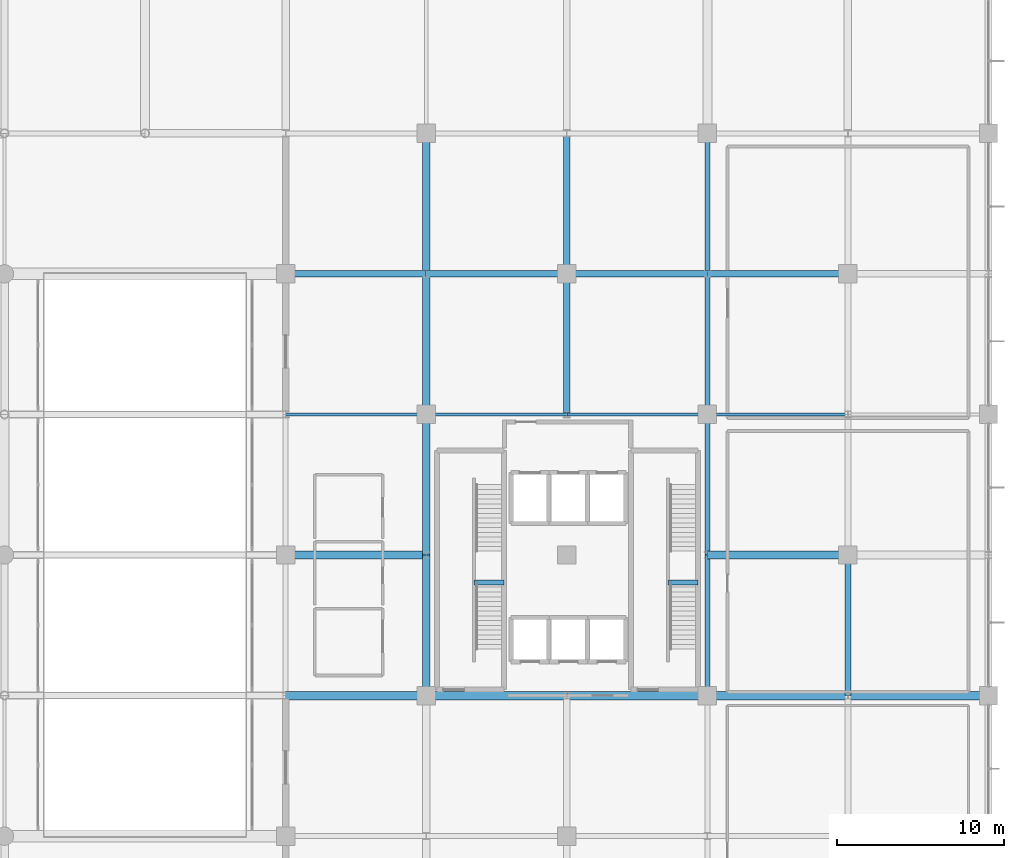
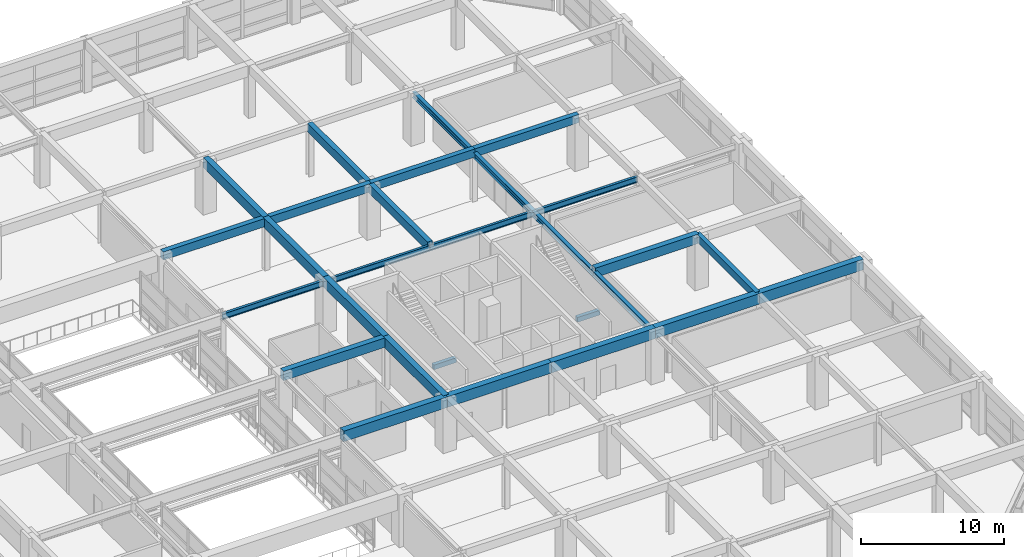
# One storey, part 37 of 62: 28 beams.
"""IFC4 building model written with IfcOpenShell, lengths in metres."""

from ifc_helpers import new_model, si_unit, direction, frame, origin, origin_2d, place, context, subcontext, project, spatial, rectangle, i_section, extrude, material, material_profile, profile_set, type_object, element, save


model = new_model("IFC4")

# Units and contexts
model_context = context("Model", 3, precision=1e-05, world=origin(), true_north=direction((0.0, 1.0)))
body_context = subcontext(model_context, "Body", "Model", "MODEL_VIEW")
ifc_project = project(units=[si_unit("LENGTHUNIT", "METRE"), si_unit("AREAUNIT", "SQUARE_METRE"), si_unit("VOLUMEUNIT", "CUBIC_METRE"), si_unit("PLANEANGLEUNIT", "RADIAN"), si_unit("MASSUNIT", "GRAM", prefix="KILO")], contexts=[model_context])

# Site, building, storey
site_placement = place(None, origin())
site = spatial("IfcSite", under=ifc_project, at=site_placement, CompositionType="ELEMENT")
building_placement = place(site_placement, origin())
building = spatial("IfcBuilding", under=site, at=building_placement, Name="Xuanlan Plaza Opera House", CompositionType="ELEMENT")
storey_placement = place(building_placement, frame((0.0, 0.0, 14.39990234375)))
storey = spatial("IfcBuildingStorey", under=building, at=storey_placement, Name="L03", CompositionType="ELEMENT", Elevation=14.39990234375)

# Beams
ifc_material_1 = material(Name="Concrete C40", Category="concrete")
ifc_material_profile_1 = material_profile(ifc_material_1, rectangle(XDim=0.5, YDim=0.89990234375, at=origin_2d()), Name="RC-BM 500x900")
ifc_profile_set_1 = profile_set([ifc_material_profile_1], Name="Concrete C40")
beam_type_1 = type_object("IfcBeamType", Name="STR-BM-B-03", PredefinedType="BEAM", material=ifc_profile_set_1)
beam_1_placement = place(storey_placement, frame((126.0, 50.39990234375, 4.050048828125), z_axis=(1.0, 0.0, 0.0), x_axis=(0.0, 1.0, 0.0)))
element("IfcBeam", 1, at=beam_1_placement, inside=storey, type_object=beam_type_1, Name="Grid Beam X L03 16-17/G", PredefinedType="BEAM", context=body_context, shape_type="SweptSolid", body=[
    extrude(rectangle(XDim=0.5, YDim=0.89990234375, at=origin_2d()), origin(), (0.0, 0.0, 1.0), 8.39990234375),
])
beam_2_placement = place(storey_placement, frame((134.39990234375, 50.39990234375, 4.050048828125), z_axis=(1.0, 0.0, 0.0), x_axis=(0.0, 1.0, 0.0)))
element("IfcBeam", 2, at=beam_2_placement, inside=storey, type_object=beam_type_1, Name="Grid Beam X L03 17-18/G", PredefinedType="BEAM", context=body_context, shape_type="SweptSolid", body=[
    extrude(rectangle(XDim=0.5, YDim=0.89990234375, at=origin_2d()), origin(), (0.0, 0.0, 1.0), 8.400146484375),
])
beam_3_placement = place(storey_placement, frame((142.800048828125, 50.39990234375, 4.050048828125), z_axis=(1.0, 0.0, 0.0), x_axis=(0.0, 1.0, 0.0)))
element("IfcBeam", 3, at=beam_3_placement, inside=storey, type_object=beam_type_1, Name="Grid Beam X L03 18-19/G", PredefinedType="BEAM", context=body_context, shape_type="SweptSolid", body=[
    extrude(rectangle(XDim=0.5, YDim=0.89990234375, at=origin_2d()), origin(), (0.0, 0.0, 1.0), 8.39990234375),
])
beam_4_placement = place(storey_placement, frame((151.199951171875, 50.39990234375, 4.050048828125), z_axis=(1.0, 0.0, 0.0), x_axis=(0.0, 1.0, 0.0)))
element("IfcBeam", 4, at=beam_4_placement, inside=storey, type_object=beam_type_1, Name="Grid Beam X L03 19-20/G", PredefinedType="BEAM", context=body_context, shape_type="SweptSolid", body=[
    extrude(rectangle(XDim=0.5, YDim=0.89990234375, at=origin_2d()), origin(), (0.0, 0.0, 1.0), 8.400146484375),
])
beam_5_placement = place(storey_placement, frame((159.60009765625, 50.39990234375, 4.050048828125), z_axis=(1.0, 0.0, 0.0), x_axis=(0.0, 1.0, 0.0)))
element("IfcBeam", 5, at=beam_5_placement, inside=storey, type_object=beam_type_1, Name="Grid Beam X L03 20-21/G", PredefinedType="BEAM", context=body_context, shape_type="SweptSolid", body=[
    extrude(rectangle(XDim=0.5, YDim=0.89990234375, at=origin_2d()), origin(), (0.0, 0.0, 1.0), 8.39990234375),
])
ifc_material_profile_2 = material_profile(ifc_material_1, rectangle(XDim=0.449951171875, YDim=0.85009765625, at=origin_2d()), Name="RC-BM 450x850")
ifc_profile_set_2 = profile_set([ifc_material_profile_2], Name="Concrete C40")
beam_type_2 = type_object("IfcBeamType", Name="STR-BM-B-04", PredefinedType="BEAM", material=ifc_profile_set_2)
beam_6_placement = place(storey_placement, frame((134.39990234375, 50.39990234375, 4.0751953125), z_axis=(0.0, 1.0, 0.0), x_axis=(-1.0, 0.0, 0.0)))
element("IfcBeam", 6, at=beam_6_placement, inside=storey, type_object=beam_type_2, Name="Grid Beam Y L03 17/G-H", PredefinedType="BEAM", context=body_context, shape_type="SweptSolid", body=[
    extrude(rectangle(XDim=0.449951171875, YDim=0.85009765625, at=origin_2d()), origin(), (0.0, 0.0, 1.0), 8.400146484375),
])
beam_7_placement = place(storey_placement, frame((134.39990234375, 58.800048828125, 4.0751953125), z_axis=(0.0, 1.0, 0.0), x_axis=(-1.0, 0.0, 0.0)))
element("IfcBeam", 7, at=beam_7_placement, inside=storey, type_object=beam_type_2, Name="Grid Beam Y L03 17/H-I", PredefinedType="BEAM", context=body_context, shape_type="SweptSolid", body=[
    extrude(rectangle(XDim=0.449951171875, YDim=0.85009765625, at=origin_2d()), origin(), (0.0, 0.0, 1.0), 8.39990234375),
])
beam_8_placement = place(storey_placement, frame((134.39990234375, 67.199951171875, 4.0751953125), z_axis=(0.0, 1.0, 0.0), x_axis=(-1.0, 0.0, 0.0)))
element("IfcBeam", 8, at=beam_8_placement, inside=storey, type_object=beam_type_2, Name="Grid Beam Y L03 17/I-J", PredefinedType="BEAM", context=body_context, shape_type="SweptSolid", body=[
    extrude(rectangle(XDim=0.449951171875, YDim=0.85009765625, at=origin_2d()), origin(), (0.0, 0.0, 1.0), 8.400146484375),
])
beam_9_placement = place(storey_placement, frame((134.39990234375, 75.60009765625, 4.0751953125), z_axis=(0.0, 1.0, 0.0), x_axis=(-1.0, 0.0, 0.0)))
element("IfcBeam", 9, at=beam_9_placement, inside=storey, type_object=beam_type_2, Name="Grid Beam Y L03 17/J-K", PredefinedType="BEAM", context=body_context, shape_type="SweptSolid", body=[
    extrude(rectangle(XDim=0.449951171875, YDim=0.85009765625, at=origin_2d()), origin(), (0.0, 0.0, 1.0), 8.39990234375),
])
ifc_material_profile_3 = material_profile(ifc_material_1, rectangle(XDim=0.449951171875, YDim=0.800048828125, at=origin_2d()), Name="RC-BM 450x800")
ifc_profile_set_3 = profile_set([ifc_material_profile_3], Name="Concrete C40")
beam_type_3 = type_object("IfcBeamType", Name="STR-BM-B-05", PredefinedType="BEAM", material=ifc_profile_set_3)
beam_10_placement = place(storey_placement, frame((126.0, 58.800048828125, 4.10009765625), z_axis=(1.0, 0.0, 0.0), x_axis=(0.0, 1.0, 0.0)))
element("IfcBeam", 10, at=beam_10_placement, inside=storey, type_object=beam_type_3, Name="Grid Beam X L03 16-17/H", PredefinedType="BEAM", context=body_context, shape_type="SweptSolid", body=[
    extrude(rectangle(XDim=0.449951171875, YDim=0.800048828125, at=origin_2d()), origin(), (0.0, 0.0, 1.0), 8.39990234375),
])
beam_11_placement = place(storey_placement, frame((151.199951171875, 58.800048828125, 4.10009765625), z_axis=(1.0, 0.0, 0.0), x_axis=(0.0, 1.0, 0.0)))
element("IfcBeam", 11, at=beam_11_placement, inside=storey, type_object=beam_type_3, Name="Grid Beam X L03 19-20/H", PredefinedType="BEAM", context=body_context, shape_type="SweptSolid", body=[
    extrude(rectangle(XDim=0.449951171875, YDim=0.800048828125, at=origin_2d()), origin(), (0.0, 0.0, 1.0), 8.400146484375),
])
ifc_material_profile_4 = material_profile(ifc_material_1, rectangle(XDim=0.39990234375, YDim=0.75, at=origin_2d()), Name="RC-BM 400x750")
ifc_profile_set_4 = profile_set([ifc_material_profile_4], Name="Concrete C40")
beam_type_4 = type_object("IfcBeamType", Name="STR-BM-B-06", PredefinedType="BEAM", material=ifc_profile_set_4)
beam_12_placement = place(storey_placement, frame((142.800048828125, 67.199951171875, 4.125), z_axis=(0.0, 1.0, 0.0), x_axis=(-1.0, 0.0, 0.0)))
element("IfcBeam", 12, at=beam_12_placement, inside=storey, type_object=beam_type_4, Name="Grid Beam Y L03 18/I-J", PredefinedType="BEAM", context=body_context, shape_type="SweptSolid", body=[
    extrude(rectangle(XDim=0.39990234375, YDim=0.75, at=origin_2d()), origin(), (0.0, 0.0, 1.0), 8.400146484375),
])
beam_13_placement = place(storey_placement, frame((142.800048828125, 75.60009765625, 4.125), z_axis=(0.0, 1.0, 0.0), x_axis=(-1.0, 0.0, 0.0)))
element("IfcBeam", 13, at=beam_13_placement, inside=storey, type_object=beam_type_4, Name="Grid Beam Y L03 18/J-K", PredefinedType="BEAM", context=body_context, shape_type="SweptSolid", body=[
    extrude(rectangle(XDim=0.39990234375, YDim=0.75, at=origin_2d()), origin(), (0.0, 0.0, 1.0), 8.39990234375),
])
ifc_material_profile_5 = material_profile(ifc_material_1, rectangle(XDim=0.39990234375, YDim=0.699951171875, at=origin_2d()), Name="RC-BM 400x700")
ifc_profile_set_5 = profile_set([ifc_material_profile_5], Name="Concrete C40")
beam_type_5 = type_object("IfcBeamType", Name="STR-BM-B-07", PredefinedType="BEAM", material=ifc_profile_set_5)
beam_14_placement = place(storey_placement, frame((126.0, 75.60009765625, 4.150146484375), z_axis=(1.0, 0.0, 0.0), x_axis=(0.0, 1.0, 0.0)))
element("IfcBeam", 14, at=beam_14_placement, inside=storey, type_object=beam_type_5, Name="Grid Beam X L03 16-17/J", PredefinedType="BEAM", context=body_context, shape_type="SweptSolid", body=[
    extrude(rectangle(XDim=0.39990234375, YDim=0.699951171875, at=origin_2d()), origin(), (0.0, 0.0, 1.0), 8.39990234375),
])
beam_15_placement = place(storey_placement, frame((134.39990234375, 75.60009765625, 4.150146484375), z_axis=(1.0, 0.0, 0.0), x_axis=(0.0, 1.0, 0.0)))
element("IfcBeam", 15, at=beam_15_placement, inside=storey, type_object=beam_type_5, Name="Grid Beam X L03 17-18/J", PredefinedType="BEAM", context=body_context, shape_type="SweptSolid", body=[
    extrude(rectangle(XDim=0.39990234375, YDim=0.699951171875, at=origin_2d()), origin(), (0.0, 0.0, 1.0), 8.400146484375),
])
beam_16_placement = place(storey_placement, frame((142.800048828125, 75.60009765625, 4.150146484375), z_axis=(1.0, 0.0, 0.0), x_axis=(0.0, 1.0, 0.0)))
element("IfcBeam", 16, at=beam_16_placement, inside=storey, type_object=beam_type_5, Name="Grid Beam X L03 18-19/J", PredefinedType="BEAM", context=body_context, shape_type="SweptSolid", body=[
    extrude(rectangle(XDim=0.39990234375, YDim=0.699951171875, at=origin_2d()), origin(), (0.0, 0.0, 1.0), 8.39990234375),
])
beam_17_placement = place(storey_placement, frame((151.199951171875, 75.60009765625, 4.150146484375), z_axis=(1.0, 0.0, 0.0), x_axis=(0.0, 1.0, 0.0)))
element("IfcBeam", 17, at=beam_17_placement, inside=storey, type_object=beam_type_5, Name="Grid Beam X L03 19-20/J", PredefinedType="BEAM", context=body_context, shape_type="SweptSolid", body=[
    extrude(rectangle(XDim=0.39990234375, YDim=0.699951171875, at=origin_2d()), origin(), (0.0, 0.0, 1.0), 8.400146484375),
])
ifc_material_profile_6 = material_profile(ifc_material_1, rectangle(XDim=0.35009765625, YDim=0.64990234375, at=origin_2d()), Name="RC-BM 350x650")
ifc_profile_set_6 = profile_set([ifc_material_profile_6], Name="Concrete C40")
beam_type_6 = type_object("IfcBeamType", Name="STR-BM-B-08", PredefinedType="BEAM", material=ifc_profile_set_6)
beam_18_placement = place(storey_placement, frame((159.60009765625, 50.39990234375, 4.175048828125), z_axis=(0.0, 1.0, 0.0), x_axis=(-1.0, 0.0, 0.0)))
element("IfcBeam", 18, at=beam_18_placement, inside=storey, type_object=beam_type_6, Name="Grid Beam Y L03 20/G-H", PredefinedType="BEAM", context=body_context, shape_type="SweptSolid", body=[
    extrude(rectangle(XDim=0.35009765625, YDim=0.64990234375, at=origin_2d()), origin(), (0.0, 0.0, 1.0), 8.400146484375),
])
ifc_material_profile_7 = material_profile(ifc_material_1, rectangle(XDim=0.300048828125, YDim=0.39990234375, at=origin_2d()), Name="RC-LNT 300x400")
ifc_profile_set_7 = profile_set([ifc_material_profile_7], Name="Concrete C40")
beam_type_7 = type_object("IfcBeamType", Name="STR-BM-LN-01", PredefinedType="LINTEL", material=ifc_profile_set_7)
beam_19_placement = place(storey_placement, frame((137.25, 57.159912109375, 1.85009765625), z_axis=(1.0, 0.0, 0.0), x_axis=(0.0, 1.0, 0.0)))
element("IfcBeam", 19, at=beam_19_placement, inside=storey, type_object=beam_type_7, Name="Stair Mid-Landing Trimmer Beam ST-T1 L03", PredefinedType="LINTEL", context=body_context, shape_type="SweptSolid", body=[
    extrude(rectangle(XDim=0.300048828125, YDim=0.39990234375, at=origin_2d()), origin(), (0.0, 0.0, 1.0), 1.800048828125),
])
beam_20_placement = place(storey_placement, frame((148.85009765625, 57.159912109375, 1.85009765625), z_axis=(1.0, 0.0, 0.0), x_axis=(0.0, 1.0, 0.0)))
element("IfcBeam", 20, at=beam_20_placement, inside=storey, type_object=beam_type_7, Name="Stair Mid-Landing Trimmer Beam ST-T2 L03", PredefinedType="LINTEL", context=body_context, shape_type="SweptSolid", body=[
    extrude(rectangle(XDim=0.300048828125, YDim=0.39990234375, at=origin_2d()), origin(), (0.0, 0.0, 1.0), 1.7998046875),
])
ifc_material_2 = material(Name="Steel Q355B", Category="steel")
ifc_material_profile_8 = material_profile(ifc_material_2, i_section(OverallWidth=0.199951171875, OverallDepth=0.5, WebThickness=0.010009765625, FlangeThickness=0.01611328125, FilletRadius=0.02001953125, at=origin_2d()), Name="HN 500x200x10x16")
ifc_profile_set_8 = profile_set([ifc_material_profile_8], Name="Steel Q355B")
beam_type_8 = type_object("IfcBeamType", Name="STR-BM-SB-05", PredefinedType="BEAM", material=ifc_profile_set_8)
beam_21_placement = place(storey_placement, frame((126.0, 67.199951171875, 3.985107421875), z_axis=(1.0, 0.0, 0.0), x_axis=(0.0, 1.0, 0.0)))
element("IfcBeam", 21, at=beam_21_placement, inside=storey, type_object=beam_type_8, Name="Grid Beam X L03 16-17/I", PredefinedType="BEAM", context=body_context, shape_type="SweptSolid", body=[
    extrude(i_section(OverallWidth=0.199951171875, OverallDepth=0.5, WebThickness=0.010009765625, FlangeThickness=0.01611328125, FilletRadius=0.02001953125, at=origin_2d()), origin(), (0.0, 0.0, 1.0), 8.39990234375),
])
beam_22_placement = place(storey_placement, frame((134.39990234375, 67.199951171875, 3.985107421875), z_axis=(1.0, 0.0, 0.0), x_axis=(0.0, 1.0, 0.0)))
element("IfcBeam", 22, at=beam_22_placement, inside=storey, type_object=beam_type_8, Name="Grid Beam X L03 17-18/I", PredefinedType="BEAM", context=body_context, shape_type="SweptSolid", body=[
    extrude(i_section(OverallWidth=0.199951171875, OverallDepth=0.5, WebThickness=0.010009765625, FlangeThickness=0.01611328125, FilletRadius=0.02001953125, at=origin_2d()), origin(), (0.0, 0.0, 1.0), 8.400146484375),
])
beam_23_placement = place(storey_placement, frame((142.800048828125, 67.199951171875, 3.985107421875), z_axis=(1.0, 0.0, 0.0), x_axis=(0.0, 1.0, 0.0)))
element("IfcBeam", 23, at=beam_23_placement, inside=storey, type_object=beam_type_8, Name="Grid Beam X L03 18-19/I", PredefinedType="BEAM", context=body_context, shape_type="SweptSolid", body=[
    extrude(i_section(OverallWidth=0.199951171875, OverallDepth=0.5, WebThickness=0.010009765625, FlangeThickness=0.01611328125, FilletRadius=0.02001953125, at=origin_2d()), origin(), (0.0, 0.0, 1.0), 8.39990234375),
])
beam_24_placement = place(storey_placement, frame((151.199951171875, 67.199951171875, 3.985107421875), z_axis=(1.0, 0.0, 0.0), x_axis=(0.0, 1.0, 0.0)))
element("IfcBeam", 24, at=beam_24_placement, inside=storey, type_object=beam_type_8, Name="Grid Beam X L03 19-20/I", PredefinedType="BEAM", context=body_context, shape_type="SweptSolid", body=[
    extrude(i_section(OverallWidth=0.199951171875, OverallDepth=0.5, WebThickness=0.010009765625, FlangeThickness=0.01611328125, FilletRadius=0.02001953125, at=origin_2d()), origin(), (0.0, 0.0, 1.0), 8.400146484375),
])
ifc_material_profile_9 = material_profile(ifc_material_2, i_section(OverallWidth=0.300048828125, OverallDepth=0.488037109375, WebThickness=0.010986328125, FlangeThickness=0.01806640625, FilletRadius=0.02197265625, at=origin_2d()), Name="HM 488x300x11x18")
ifc_profile_set_9 = profile_set([ifc_material_profile_9], Name="Steel Q355B")
beam_type_9 = type_object("IfcBeamType", Name="STR-BM-SB-07", PredefinedType="BEAM", material=ifc_profile_set_9)
beam_25_placement = place(storey_placement, frame((151.199951171875, 50.39990234375, 3.9912109375), z_axis=(0.0, 1.0, 0.0), x_axis=(-1.0, 0.0, 0.0)))
element("IfcBeam", 25, at=beam_25_placement, inside=storey, type_object=beam_type_9, Name="Grid Beam Y L03 19/G-H", PredefinedType="BEAM", context=body_context, shape_type="SweptSolid", body=[
    extrude(i_section(OverallWidth=0.300048828125, OverallDepth=0.488037109375, WebThickness=0.010986328125, FlangeThickness=0.01806640625, FilletRadius=0.02197265625, at=origin_2d()), origin(), (0.0, 0.0, 1.0), 8.400146484375),
])
beam_26_placement = place(storey_placement, frame((151.199951171875, 58.800048828125, 3.9912109375), z_axis=(0.0, 1.0, 0.0), x_axis=(-1.0, 0.0, 0.0)))
element("IfcBeam", 26, at=beam_26_placement, inside=storey, type_object=beam_type_9, Name="Grid Beam Y L03 19/H-I", PredefinedType="BEAM", context=body_context, shape_type="SweptSolid", body=[
    extrude(i_section(OverallWidth=0.300048828125, OverallDepth=0.488037109375, WebThickness=0.010986328125, FlangeThickness=0.01806640625, FilletRadius=0.02197265625, at=origin_2d()), origin(), (0.0, 0.0, 1.0), 8.39990234375),
])
beam_27_placement = place(storey_placement, frame((151.199951171875, 67.199951171875, 3.9912109375), z_axis=(0.0, 1.0, 0.0), x_axis=(-1.0, 0.0, 0.0)))
element("IfcBeam", 27, at=beam_27_placement, inside=storey, type_object=beam_type_9, Name="Grid Beam Y L03 19/I-J", PredefinedType="BEAM", context=body_context, shape_type="SweptSolid", body=[
    extrude(i_section(OverallWidth=0.300048828125, OverallDepth=0.488037109375, WebThickness=0.010986328125, FlangeThickness=0.01806640625, FilletRadius=0.02197265625, at=origin_2d()), origin(), (0.0, 0.0, 1.0), 8.400146484375),
])
beam_28_placement = place(storey_placement, frame((151.199951171875, 75.60009765625, 3.9912109375), z_axis=(0.0, 1.0, 0.0), x_axis=(-1.0, 0.0, 0.0)))
element("IfcBeam", 28, at=beam_28_placement, inside=storey, type_object=beam_type_9, Name="Grid Beam Y L03 19/J-K", PredefinedType="BEAM", context=body_context, shape_type="SweptSolid", body=[
    extrude(i_section(OverallWidth=0.300048828125, OverallDepth=0.488037109375, WebThickness=0.010986328125, FlangeThickness=0.01806640625, FilletRadius=0.02197265625, at=origin_2d()), origin(), (0.0, 0.0, 1.0), 8.39990234375),
])

save(model, "model.ifc")
